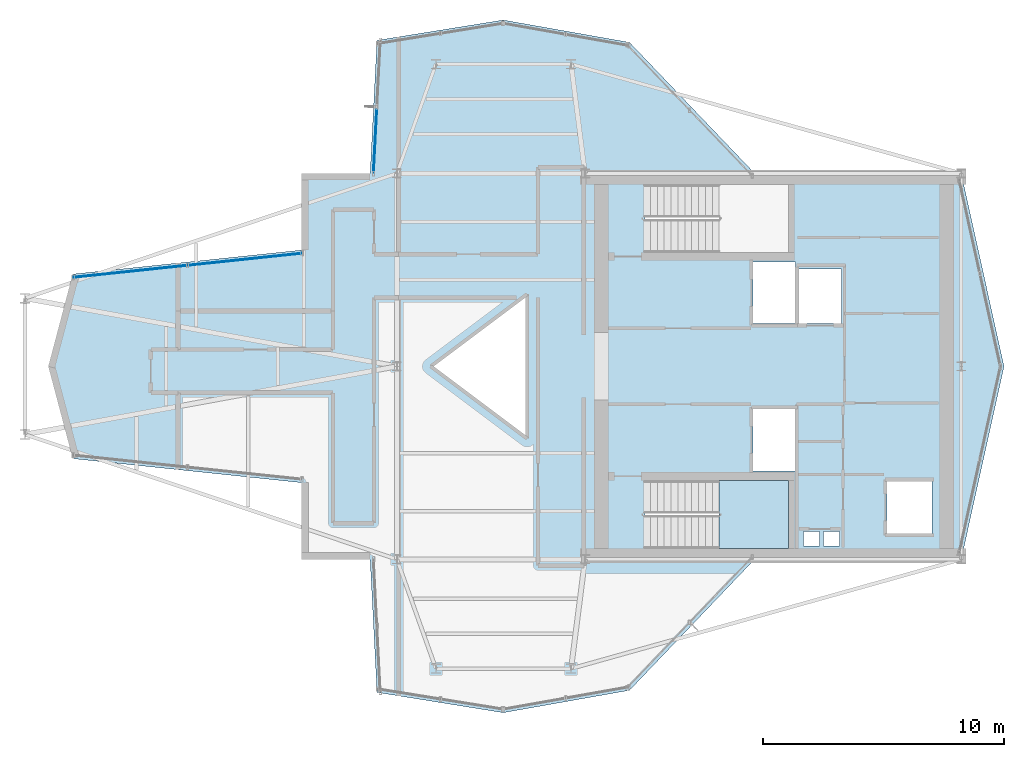
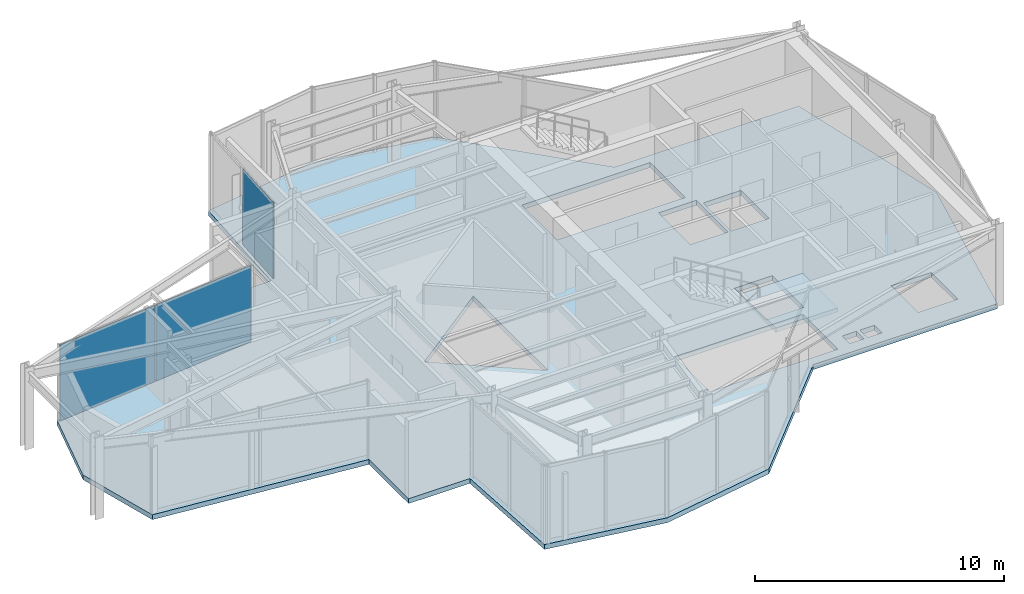
# One storey, part 9 of 14: 3 plates, 2 slabs, 3 elements without a shape of their own.
"""IFC4 building model written with IfcOpenShell, lengths in metres."""

from ifc_helpers import new_model, si_unit, direction, frame, origin, origin_2d, place, context, subcontext, project, spatial, polyline, rectangle, outline, extrude, material, layer, layer_set, type_object, element, aggregate, save


model = new_model("IFC4")

# Units and contexts
model_context = context("Model", 3, precision=1e-05, world=origin(), true_north=direction((0.0, 1.0)))
body_context = subcontext(model_context, "Body", "Model", "MODEL_VIEW")
ifc_project = project(units=[si_unit("LENGTHUNIT", "METRE"), si_unit("AREAUNIT", "SQUARE_METRE"), si_unit("VOLUMEUNIT", "CUBIC_METRE"), si_unit("PLANEANGLEUNIT", "RADIAN"), si_unit("MASSUNIT", "GRAM", prefix="KILO")], contexts=[model_context])

# Site, building, storey
site_placement = place(None, origin())
site = spatial("IfcSite", under=ifc_project, at=site_placement, CompositionType="ELEMENT")
building_placement = place(site_placement, origin())
building = spatial("IfcBuilding", under=site, at=building_placement, Name="Veymaron Broadcast Tower", CompositionType="ELEMENT")
storey_placement = place(building_placement, frame((0.0, 0.0, 295.199951171875)))
storey = spatial("IfcBuildingStorey", under=building, at=storey_placement, Name="L69", CompositionType="ELEMENT", Elevation=295.199951171875)

# Curtain wall, plate
ifc_material_1 = material(Name="Anodised aluminium AA 6063-T6 and laminated low-E dark glass", Category="aluminium")
ifc_layer_1 = layer(ifc_material_1, 0.179931640625)
ifc_layer_set_1 = layer_set([ifc_layer_1], Name="Anodised aluminium AA 6063-T6 and laminated low-E dark glass")
curtain_wall_type = type_object("IfcCurtainWallType", Name="CW-SYS-06", PredefinedType="NOTDEFINED", material=ifc_layer_set_1)
curtain_wall_1_placement = place(storey_placement, origin())
curtain_wall_1 = element("IfcCurtainWall", 1, at=curtain_wall_1_placement, inside=storey, type_object=curtain_wall_type, Name="L69 dark-glass curtain wall CW-L69-E8-1", PredefinedType="NOTDEFINED")
ifc_material_2 = material(Name="Insulated dark-anodised aluminium spandrel panel 40 mm", Category="aluminium")
ifc_layer_2 = layer(ifc_material_2, 0.0400390625)
ifc_layer_set_2 = layer_set([ifc_layer_2], Name="Insulated dark-anodised aluminium spandrel panel 40 mm")
plate_type = type_object("IfcPlateType", Name="CW-PNL-03", PredefinedType="CURTAIN_PANEL", material=ifc_layer_set_2)
plate_1_placement = place(storey_placement, frame((30.301513671875, 33.3720703125, 0.0400390625), z_axis=(0.0, 0.0, 1.0), x_axis=(-0.051377316741, -0.998679313556, 0.0)))
plate_1 = element("IfcPlate", 2, at=plate_1_placement, type_object=plate_type, Name="CW-L69-E8-1 unitised curtain panel 1", PredefinedType="CURTAIN_PANEL", context=body_context, shape_type="SweptSolid", body=[
    extrude(rectangle(XDim=2.7021484375, YDim=0.0400390625, at=origin_2d()), origin(), (0.0, 0.0, 1.0), 3.72998046875),
])
aggregate(curtain_wall_1, [plate_1])

# Curtain wall, plates
curtain_wall_2_placement = place(storey_placement, origin())
curtain_wall_2 = element("IfcCurtainWall", 3, at=curtain_wall_2_placement, inside=storey, type_object=curtain_wall_type, Name="L69 dark-glass curtain wall CW-L69-E11-1", PredefinedType="NOTDEFINED")
plate_2_placement = place(storey_placement, frame((24.891845703125, 28.4345703125, 0.0400390625), z_axis=(0.0, 0.0, 1.0), x_axis=(-0.994518246031, -0.104563178567, 0.0)))
plate_2 = element("IfcPlate", 4, at=plate_2_placement, type_object=plate_type, Name="CW-L69-E11-1 unitised curtain panel 0", PredefinedType="CURTAIN_PANEL", context=body_context, shape_type="SweptSolid", body=[
    extrude(rectangle(XDim=4.7109375, YDim=0.0400390625, at=origin_2d()), origin(), (0.0, 0.0, 1.0), 3.72998046875),
])
plate_3_placement = place(storey_placement, frame((20.14697265625, 27.935546875, 0.0400390625), z_axis=(0.0, 0.0, 1.0), x_axis=(-0.994518246031, -0.104563178567, 0.0)))
plate_3 = element("IfcPlate", 5, at=plate_3_placement, type_object=plate_type, Name="CW-L69-E11-1 unitised curtain panel 1", PredefinedType="CURTAIN_PANEL", context=body_context, shape_type="SweptSolid", body=[
    extrude(rectangle(XDim=4.7109375, YDim=0.0400390625, at=origin_2d()), origin(), (0.0, 0.0, 1.0), 3.72998046875),
])
aggregate(curtain_wall_2, [plate_2, plate_3])

# Slab
ifc_material_3 = material(Name="Concrete C40/50", Category="concrete")
ifc_layer_3 = layer(ifc_material_3, 0.239990234375)
ifc_layer_set_3 = layer_set([ifc_layer_3], Name="Concrete C40/50")
slab_type_1 = type_object("IfcSlabType", Name="SLAB-FS6", PredefinedType="FLOOR", material=ifc_layer_set_3)
slab_1_placement = place(storey_placement, frame((0.0, 0.0, -0.239990234375)))
element("IfcSlab", 6, at=slab_1_placement, inside=storey, type_object=slab_type_1, Name="L69 structural floor slab", PredefinedType="FLOOR", context=body_context, shape_type="SweptSolid", body=[
    extrude(outline(polyline([(46.035400390625, 16.0), (54.60009765625, 16.0), (56.372314453125, 24.0), (54.60009765625, 32.0), (46.035400390625, 32.0), (40.843994140625, 37.432861328125), (35.609130859375, 38.361083984375), (30.37451171875, 37.51708984375), (30.0908203125, 32.0), (27.24951171875, 32.0), (27.24951171875, 28.822998046875), (17.760009765625, 27.8251953125), (16.747314453125, 24.0), (17.760009765625, 20.1748046875), (27.24951171875, 19.177001953125), (27.24951171875, 16.0), (30.0908203125, 16.0), (30.37451171875, 10.48291015625), (35.609130859375, 9.638916015625), (40.843994140625, 10.567138671875), (46.035400390625, 16.0)]), holes=[polyline([(45.969970703125, 28.330078125), (47.72998046875, 28.330078125), (47.72998046875, 25.77001953125), (45.969970703125, 25.77001953125), (45.969970703125, 28.330078125)]), polyline([(45.969970703125, 22.22998046875), (47.72998046875, 22.22998046875), (47.72998046875, 19.669921875), (45.969970703125, 19.669921875), (45.969970703125, 22.22998046875)]), polyline([(47.8701171875, 28.030029296875), (49.6298828125, 28.030029296875), (49.6298828125, 25.77001953125), (47.8701171875, 25.77001953125), (47.8701171875, 28.030029296875)]), polyline([(51.52001953125, 19.22998046875), (53.3798828125, 19.22998046875), (53.3798828125, 17.070068359375), (51.52001953125, 17.070068359375), (51.52001953125, 19.22998046875)]), polyline([(48.050048828125, 17.159912109375), (48.719970703125, 17.159912109375), (48.719970703125, 16.56005859375), (48.050048828125, 16.56005859375), (48.050048828125, 17.159912109375)]), polyline([(48.8798828125, 17.159912109375), (49.550048828125, 17.159912109375), (49.550048828125, 16.56005859375), (48.8798828125, 16.56005859375), (48.8798828125, 17.159912109375)]), polyline([(36.60009765625, 27.0), (36.60009765625, 21.0), (32.60009765625, 24.0), (36.60009765625, 27.0)]), polyline([(41.489990234375, 31.550048828125), (47.43994140625, 31.550048828125), (47.43994140625, 28.72998046875), (41.489990234375, 28.72998046875), (41.489990234375, 31.550048828125)]), polyline([(41.489990234375, 19.27001953125), (47.43994140625, 19.27001953125), (47.43994140625, 16.449951171875), (41.489990234375, 16.449951171875), (41.489990234375, 19.27001953125)])]), origin(), (0.0, 0.0, 1.0), 0.239990234375),
])

# Stair, slab
ifc_material_4 = material(Name="Concrete C50/60", Category="concrete")
stair_type = type_object("IfcStairType", Name="STAIR-CORE-2", PredefinedType="HALF_TURN_STAIR", material=ifc_material_4)
stair_placement = place(storey_placement, origin())
stair = element("IfcStair", 7, at=stair_placement, inside=storey, type_object=stair_type, Name="L69 South protected dog-leg exit stair ST2", PredefinedType="HALF_TURN_STAIR")
ifc_layer_4 = layer(ifc_material_4, 0.199951171875)
ifc_layer_set_4 = layer_set([ifc_layer_4], Name="Concrete C50/60")
slab_type_2 = type_object("IfcSlabType", Name="SLAB-STAIR-LDG", PredefinedType="LANDING", material=ifc_layer_set_4)
slab_2_placement = place(storey_placement, frame((0.0, 0.0, 1.824951171875)))
slab_2 = element("IfcSlab", 8, at=slab_2_placement, type_object=slab_type_2, Name="ST2 landing 1", PredefinedType="LANDING", context=body_context, shape_type="SweptSolid", body=[
    extrude(outline(polyline([(44.56494140625, 16.449951171875), (47.43994140625, 16.449951171875), (47.43994140625, 19.27001953125), (44.56494140625, 19.27001953125), (44.56494140625, 16.449951171875)])), origin(), (0.0, 0.0, 1.0), 0.2001953125),
])
aggregate(stair, [slab_2])

save(model, "model.ifc")
